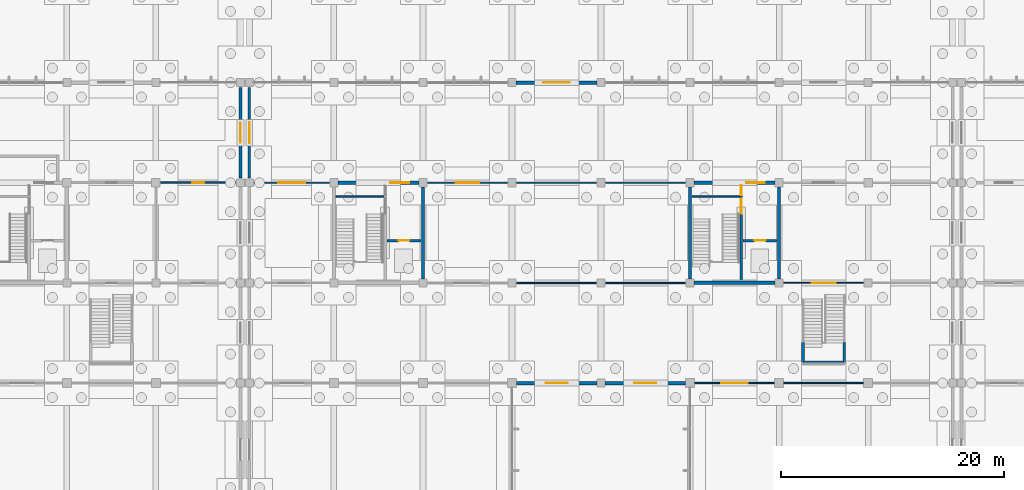
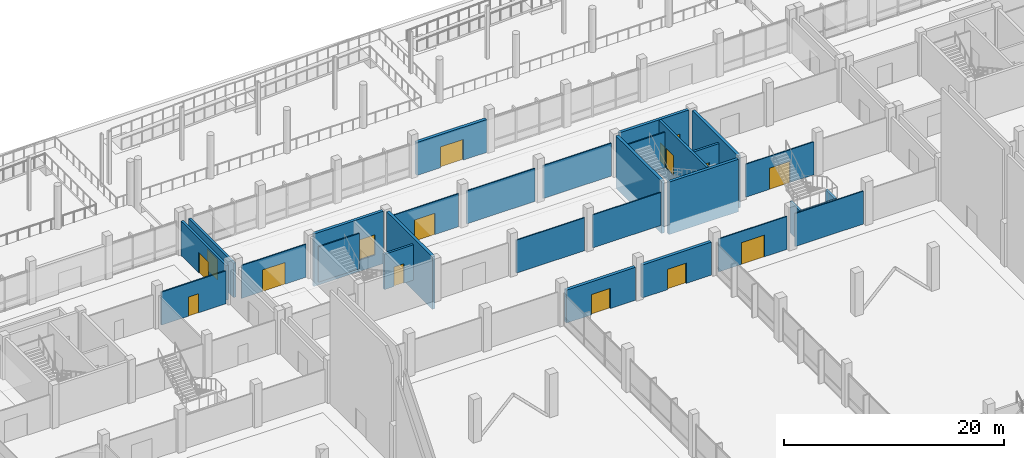
# One storey, part 50 of 72: 29 walls, 16 doors, 16 openings.
"""IFC4 building model written with IfcOpenShell, lengths in metres."""

from ifc_helpers import new_model, si_unit, direction, frame, frame_2d, origin, place, context, subcontext, project, spatial, rectangle, extrude, material, layer, layer_set, type_object, element, fill, save


model = new_model("IFC4")

# Units and contexts
model_context = context("Model", 3, precision=1e-05, world=origin(), true_north=direction((0.0, 1.0)))
body_context = subcontext(model_context, "Body", "Model", "MODEL_VIEW")
ifc_project = project(units=[si_unit("LENGTHUNIT", "METRE"), si_unit("AREAUNIT", "SQUARE_METRE"), si_unit("VOLUMEUNIT", "CUBIC_METRE"), si_unit("PLANEANGLEUNIT", "RADIAN"), si_unit("MASSUNIT", "GRAM", prefix="KILO"), si_unit("THERMODYNAMICTEMPERATUREUNIT", "KELVIN"), si_unit("POWERUNIT", "WATT")], contexts=[model_context])

# Site, building, storey
site_placement = place(None, origin())
site = spatial("IfcSite", under=ifc_project, at=site_placement, CompositionType="ELEMENT")
building_placement = place(site_placement, origin())
building = spatial("IfcBuilding", under=site, at=building_placement, Name="Kronsvod Quay Wholesale Market", CompositionType="ELEMENT")
storey_placement = place(building_placement, origin())
storey = spatial("IfcBuildingStorey", under=building, at=storey_placement, Name="L00", CompositionType="ELEMENT", Elevation=0.0)

# Wall, opening, door
ifc_material_1 = material(Name="Concrete C35/45", Category="concrete")
ifc_layer_1 = layer(ifc_material_1, 0.300048828125)
ifc_layer_set_1 = layer_set([ifc_layer_1], Name="Concrete C35/45")
wall_type_1 = type_object("IfcWallType", Name="Wall_CoreShear300", PredefinedType="SHEAR", material=ifc_layer_set_1)
wall_1_placement = place(storey_placement, frame((72.3701171875, 108.0, -1.25), z_axis=(0.0, 0.0, 1.0), x_axis=(1.0, 0.0, 0.0)))
wall_1 = element("IfcWall", 1, at=wall_1_placement, inside=storey, type_object=wall_type_1, Name="CW-C08-L00-N", PredefinedType="SHEAR", context=body_context, shape_type="SweptSolid", body=[
    extrude(rectangle(XDim=7.259765625, YDim=0.300048828125, at=frame_2d((3.6298828125, 0.0))), origin(), (0.0, 0.0, 1.0), 5.804931640625),
])
opening_1_placement = place(wall_1_placement, frame((4.699951171875, 0.0, 1.25)))
opening_1 = element("IfcOpeningElement", 2, at=opening_1_placement, cuts=wall_1, Name="Opening D-0076", PredefinedType="OPENING", context=body_context, shape_type="SweptSolid", body=[
    extrude(rectangle(XDim=1.699951171875, YDim=2.25, at=frame_2d((0.85009765625, 1.125))), frame((0.0, 0.16015625, 0.0), z_axis=(0.0, -1.0, 0.0), x_axis=(1.0, 0.0, 0.0)), (0.0, 0.0, 1.0), 0.320068359375),
])
ifc_material_2 = material(Name="Painted galvanized fire steel", Category="steel")
door_type_1 = type_object("IfcDoorType", Name="Door_FireLobby170x225", OperationType="DOUBLE_DOOR_SINGLE_SWING", PredefinedType="DOOR", material=ifc_material_2)
door_1_placement = place(opening_1_placement, origin())
door_1 = element("IfcDoor", 3, at=door_1_placement, inside=storey, type_object=door_type_1, Name="Core Lobby Door D-0076", OperationType="DOUBLE_DOOR_SINGLE_SWING", OverallHeight=2.25, OverallWidth=1.699951171875, PredefinedType="DOOR", context=body_context, shape_type="SweptSolid", body=[
    extrude(rectangle(XDim=1.699951171875, YDim=2.25, at=frame_2d((0.85009765625, 1.125))), frame((0.0, 0.02490234375, 0.0), z_axis=(0.0, -1.0, 0.0), x_axis=(1.0, 0.0, 0.0)), (0.0, 0.0, 1.0), 0.050048828125),
])
fill(opening_1, door_1)

# Walls
wall_2_placement = place(storey_placement, frame((80.0, 99.344970703125, -1.25), z_axis=(0.0, 0.0, 1.0), x_axis=(0.0, 1.0, 0.0)))
element("IfcWall", 4, at=wall_2_placement, inside=storey, type_object=wall_type_1, Name="CW-C08-L00-E", PredefinedType="SHEAR", context=body_context, shape_type="SweptSolid", body=[
    extrude(rectangle(XDim=8.284912109375, YDim=0.300048828125, at=frame_2d((4.142578125, 0.0))), origin(), (0.0, 0.0, 1.0), 5.804931640625),
])
wall_3_placement = place(storey_placement, frame((104.344970703125, 99.0, -1.25), z_axis=(0.0, 0.0, 1.0), x_axis=(1.0, 0.0, 0.0)))
element("IfcWall", 5, at=wall_3_placement, inside=storey, type_object=wall_type_1, Name="CW-C09-L00-S", PredefinedType="SHEAR", context=body_context, shape_type="SweptSolid", body=[
    extrude(rectangle(XDim=7.31005859375, YDim=0.300048828125, at=frame_2d((3.655029296875, 0.0))), origin(), (0.0, 0.0, 1.0), 5.804931640625),
])

# Wall, opening, door
wall_4_placement = place(storey_placement, frame((104.3701171875, 108.0, -1.25), z_axis=(0.0, 0.0, 1.0), x_axis=(1.0, 0.0, 0.0)))
wall_4 = element("IfcWall", 6, at=wall_4_placement, inside=storey, type_object=wall_type_1, Name="CW-C09-L00-N", PredefinedType="SHEAR", context=body_context, shape_type="SweptSolid", body=[
    extrude(rectangle(XDim=7.259765625, YDim=0.300048828125, at=frame_2d((3.6298828125, 0.0))), origin(), (0.0, 0.0, 1.0), 5.804931640625),
])
opening_2_placement = place(wall_4_placement, frame((4.699951171875, 0.0, 1.25)))
opening_2 = element("IfcOpeningElement", 7, at=opening_2_placement, cuts=wall_4, Name="Opening D-0092", PredefinedType="OPENING", context=body_context, shape_type="SweptSolid", body=[
    extrude(rectangle(XDim=1.64990234375, YDim=2.219970703125, at=frame_2d((0.824951171875, 1.10986328125))), frame((0.0, 0.16015625, 0.0), z_axis=(0.0, -1.0, 0.0), x_axis=(1.0, 0.0, 0.0)), (0.0, 0.0, 1.0), 0.320068359375),
])
ifc_material_3 = material(Name="Painted galvanized fire steel", Category="steel")
door_type_2 = type_object("IfcDoorType", Name="Door_FireLobby165x222", OperationType="DOUBLE_DOOR_SINGLE_SWING", PredefinedType="DOOR", material=ifc_material_3)
door_2_placement = place(opening_2_placement, origin())
door_2 = element("IfcDoor", 8, at=door_2_placement, inside=storey, type_object=door_type_2, Name="Core Lobby Door D-0092", OperationType="DOUBLE_DOOR_SINGLE_SWING", OverallHeight=2.219970703125, OverallWidth=1.64990234375, PredefinedType="DOOR", context=body_context, shape_type="SweptSolid", body=[
    extrude(rectangle(XDim=1.64990234375, YDim=2.219970703125, at=frame_2d((0.824951171875, 1.10986328125))), frame((0.0, 0.02490234375, 0.0), z_axis=(0.0, -1.0, 0.0), x_axis=(1.0, 0.0, 0.0)), (0.0, 0.0, 1.0), 0.050048828125),
])
fill(opening_2, door_2)

# Walls
for number, where, z_axis, x_axis, name in (
    (9, (104.0, 99.344970703125, -1.25), (0.0, 0.0, 1.0), (0.0, 1.0, 0.0), "CW-C09-L00-W"),
    (10, (112.0, 99.344970703125, -1.25), (0.0, 0.0, 1.0), (0.0, 1.0, 0.0), "CW-C09-L00-E"),
):
    element("IfcWall", number, at=place(storey_placement, frame(where, z_axis=z_axis, x_axis=x_axis)), inside=storey, type_object=wall_type_1, Name=name, PredefinedType="SHEAR", context=body_context, shape_type="SweptSolid", body=[
        extrude(rectangle(XDim=8.284912109375, YDim=0.300048828125, at=frame_2d((4.142578125, 0.0))), origin(), (0.0, 0.0, 1.0), 5.804931640625),
    ])

# Wall, opening, door
ifc_material_4 = material(Name="Precast concrete C40/50", Category="concrete")
ifc_layer_2 = layer(ifc_material_4, 0.320068359375)
ifc_layer_set_2 = layer_set([ifc_layer_2], Name="Precast concrete C40/50")
wall_type_2 = type_object("IfcWallType", Name="Wall_ExtPrecast320", PredefinedType="SOLIDWALL", material=ifc_layer_set_2)
wall_5_placement = place(storey_placement, frame((88.39501953125, 90.0, 0.0), z_axis=(0.0, 0.0, 1.0), x_axis=(1.0, 0.0, 0.0)))
wall_5 = element("IfcWall", 11, at=wall_5_placement, inside=storey, type_object=wall_type_2, Name="EW-X-L00-0043", PredefinedType="SOLIDWALL", context=body_context, shape_type="SweptSolid", body=[
    extrude(rectangle(XDim=7.260009765625, YDim=0.320068359375, at=frame_2d((3.6298828125, 0.0))), origin(), (0.0, 0.0, 1.0), 3.64990234375),
])
opening_3_placement = place(wall_5_placement, frame((2.6298828125, 0.0, 0.0)))
opening_3 = element("IfcOpeningElement", 12, at=opening_3_placement, cuts=wall_5, Name="Opening ED-028", PredefinedType="OPENING", context=body_context, shape_type="SweptSolid", body=[
    extrude(rectangle(XDim=2.0, YDim=2.25, at=frame_2d((1.0, 1.125))), frame((0.0, 0.169921875, 0.0), z_axis=(0.0, -1.0, 0.0), x_axis=(1.0, 0.0, 0.0)), (0.0, 0.0, 1.0), 0.340087890625),
])
ifc_material_5 = material(Name="Aluminium and safety glass", Category="aluminium")
door_type_3 = type_object("IfcDoorType", Name="Door_ExitDouble200x225", OperationType="DOUBLE_DOOR_SINGLE_SWING", PredefinedType="DOOR", material=ifc_material_5)
door_3_placement = place(opening_3_placement, frame((2.0, 0.0, 0.0), z_axis=(0.0, 0.0, 1.0), x_axis=(-1.0, 0.0, 0.0)))
door_3 = element("IfcDoor", 13, at=door_3_placement, inside=storey, type_object=door_type_3, Name="Court Exit Door ED-028", OperationType="DOUBLE_DOOR_SINGLE_SWING", OverallHeight=2.25, OverallWidth=2.0, PredefinedType="DOOR", context=body_context, shape_type="SweptSolid", body=[
    extrude(rectangle(XDim=2.0, YDim=2.25, at=frame_2d((1.0, 1.125))), frame((0.0, 0.02490234375, 0.0), z_axis=(0.0, -1.0, 0.0), x_axis=(1.0, 0.0, 0.0)), (0.0, 0.0, 1.0), 0.050048828125),
])
fill(opening_3, door_3)

wall_6_placement = place(storey_placement, frame((96.344970703125, 90.0, 0.0), z_axis=(0.0, 0.0, 1.0), x_axis=(1.0, 0.0, 0.0)))
wall_6 = element("IfcWall", 14, at=wall_6_placement, inside=storey, type_object=wall_type_2, Name="EW-X-L00-0044", PredefinedType="SOLIDWALL", context=body_context, shape_type="SweptSolid", body=[
    extrude(rectangle(XDim=7.260009765625, YDim=0.320068359375, at=frame_2d((3.6298828125, 0.0))), origin(), (0.0, 0.0, 1.0), 3.64990234375),
])
opening_4_placement = place(wall_6_placement, frame((2.6298828125, 0.0, 0.0)))
opening_4 = element("IfcOpeningElement", 15, at=opening_4_placement, cuts=wall_6, Name="Opening ED-029", PredefinedType="OPENING", context=body_context, shape_type="SweptSolid", body=[
    extrude(rectangle(XDim=2.0, YDim=2.25, at=frame_2d((1.0, 1.125))), frame((0.0, 0.169921875, 0.0), z_axis=(0.0, -1.0, 0.0), x_axis=(1.0, 0.0, 0.0)), (0.0, 0.0, 1.0), 0.340087890625),
])
door_4_placement = place(opening_4_placement, frame((2.0, 0.0, 0.0), z_axis=(0.0, 0.0, 1.0), x_axis=(-1.0, 0.0, 0.0)))
door_4 = element("IfcDoor", 16, at=door_4_placement, inside=storey, type_object=door_type_3, Name="Court Exit Door ED-029", OperationType="DOUBLE_DOOR_SINGLE_SWING", OverallHeight=2.25, OverallWidth=2.0, PredefinedType="DOOR", context=body_context, shape_type="SweptSolid", body=[
    extrude(rectangle(XDim=2.0, YDim=2.25, at=frame_2d((1.0, 1.125))), frame((0.0, 0.02490234375, 0.0), z_axis=(0.0, -1.0, 0.0), x_axis=(1.0, 0.0, 0.0)), (0.0, 0.0, 1.0), 0.050048828125),
])
fill(opening_4, door_4)

wall_7_placement = place(storey_placement, frame((95.655029296875, 117.0, 0.0), z_axis=(0.0, 0.0, 1.0), x_axis=(-1.0, 0.0, 0.0)))
wall_7 = element("IfcWall", 17, at=wall_7_placement, inside=storey, type_object=wall_type_2, Name="EW-X-L00-0045", PredefinedType="SOLIDWALL", context=body_context, shape_type="SweptSolid", body=[
    extrude(rectangle(XDim=7.31005859375, YDim=0.320068359375, at=frame_2d((3.655029296875, 0.0))), origin(), (0.0, 0.0, 1.0), 3.64990234375),
])
opening_5_placement = place(wall_7_placement, frame((2.455078125, 0.0, 0.0)))
opening_5 = element("IfcOpeningElement", 18, at=opening_5_placement, cuts=wall_7, Name="Opening ED-030", PredefinedType="OPENING", context=body_context, shape_type="SweptSolid", body=[
    extrude(rectangle(XDim=2.39990234375, YDim=2.300048828125, at=frame_2d((1.199951171875, 1.14990234375))), frame((0.0, 0.169921875, 0.0), z_axis=(0.0, -1.0, 0.0), x_axis=(1.0, 0.0, 0.0)), (0.0, 0.0, 1.0), 0.340087890625),
])
ifc_material_6 = material(Name="Aluminium and safety glass", Category="aluminium")
door_type_4 = type_object("IfcDoorType", Name="Door_ExitDouble240x230", OperationType="DOUBLE_DOOR_SINGLE_SWING", PredefinedType="DOOR", material=ifc_material_6)
door_5_placement = place(opening_5_placement, frame((2.39990234375, 0.0, 0.0), z_axis=(0.0, 0.0, 1.0), x_axis=(-1.0, 0.0, 0.0)))
door_5 = element("IfcDoor", 19, at=door_5_placement, inside=storey, type_object=door_type_4, Name="Harbour Colonnade Exit Door ED-030", OperationType="DOUBLE_DOOR_SINGLE_SWING", OverallHeight=2.300048828125, OverallWidth=2.39990234375, PredefinedType="DOOR", context=body_context, shape_type="SweptSolid", body=[
    extrude(rectangle(XDim=2.39990234375, YDim=2.300048828125, at=frame_2d((1.199951171875, 1.14990234375))), frame((0.0, 0.02490234375, 0.0), z_axis=(0.0, -1.0, 0.0), x_axis=(1.0, 0.0, 0.0)), (0.0, 0.0, 1.0), 0.050048828125),
])
fill(opening_5, door_5)

ifc_material_7 = material(Name="Precast concrete C40/50", Category="concrete")
ifc_layer_3 = layer(ifc_material_7, 0.239990234375)
ifc_layer_set_3 = layer_set([ifc_layer_3], Name="Precast concrete C40/50")
wall_type_3 = type_object("IfcWallType", Name="Wall_ExtSpandrel240", PredefinedType="SOLIDWALL", material=ifc_layer_set_3)
wall_8_placement = place(storey_placement, frame((63.60009765625, 108.419921875, 0.0), z_axis=(0.0, 0.0, 1.0), x_axis=(0.0, 1.0, 0.0)))
wall_8 = element("IfcWall", 20, at=wall_8_placement, inside=storey, type_object=wall_type_3, Name="MJWG-L00-636-1080", PredefinedType="SOLIDWALL", context=body_context, shape_type="SweptSolid", body=[
    extrude(rectangle(XDim=8.16015625, YDim=0.239990234375, at=frame_2d((4.080078125, 0.0))), origin(), (0.0, 0.0, 1.0), 3.820068359375),
])
opening_6_placement = place(wall_8_placement, frame((3.179931640625, 0.0, 0.0)))
opening_6 = element("IfcOpeningElement", 21, at=opening_6_placement, cuts=wall_8, Name="Opening D-0322", PredefinedType="OPENING", context=body_context, shape_type="SweptSolid", body=[
    extrude(rectangle(XDim=1.800048828125, YDim=2.300048828125, at=frame_2d((0.89990234375, 1.14990234375))), frame((0.0, 0.1298828125, 0.0), z_axis=(0.0, -1.0, 0.0), x_axis=(1.0, 0.0, 0.0)), (0.0, 0.0, 1.0), 0.260009765625),
])
ifc_material_8 = material(Name="Painted galvanized fire steel", Category="steel")
door_type_5 = type_object("IfcDoorType", Name="Door_FireComp180x230", OperationType="DOUBLE_DOOR_SINGLE_SWING", PredefinedType="DOOR", material=ifc_material_8)
door_6_placement = place(opening_6_placement, origin())
door_6 = element("IfcDoor", 22, at=door_6_placement, inside=storey, type_object=door_type_5, Name="Fire Compartment Door D-0322", OperationType="DOUBLE_DOOR_SINGLE_SWING", OverallHeight=2.300048828125, OverallWidth=1.800048828125, PredefinedType="DOOR", context=body_context, shape_type="SweptSolid", body=[
    extrude(rectangle(XDim=1.800048828125, YDim=2.300048828125, at=frame_2d((0.89990234375, 1.14990234375))), frame((0.0, 0.02490234375, 0.0), z_axis=(0.0, -1.0, 0.0), x_axis=(1.0, 0.0, 0.0)), (0.0, 0.0, 1.0), 0.050048828125),
])
fill(opening_6, door_6)

wall_9_placement = place(storey_placement, frame((64.39990234375, 108.419921875, 0.0), z_axis=(0.0, 0.0, 1.0), x_axis=(0.0, 1.0, 0.0)))
wall_9 = element("IfcWall", 23, at=wall_9_placement, inside=storey, type_object=wall_type_3, Name="MJWG-L00-644-1080", PredefinedType="SOLIDWALL", context=body_context, shape_type="SweptSolid", body=[
    extrude(rectangle(XDim=8.16015625, YDim=0.239990234375, at=frame_2d((4.080078125, 0.0))), origin(), (0.0, 0.0, 1.0), 3.820068359375),
])
opening_7_placement = place(wall_9_placement, frame((3.1298828125, 0.0, 0.0)))
opening_7 = element("IfcOpeningElement", 24, at=opening_7_placement, cuts=wall_9, Name="Opening D-0331", PredefinedType="OPENING", context=body_context, shape_type="SweptSolid", body=[
    extrude(rectangle(XDim=1.89990234375, YDim=2.35009765625, at=frame_2d((0.949951171875, 1.175048828125))), frame((0.0, 0.1298828125, 0.0), z_axis=(0.0, -1.0, 0.0), x_axis=(1.0, 0.0, 0.0)), (0.0, 0.0, 1.0), 0.260009765625),
])
ifc_material_9 = material(Name="Painted galvanized fire steel", Category="steel")
door_type_6 = type_object("IfcDoorType", Name="Door_FireComp190x235", OperationType="DOUBLE_DOOR_SINGLE_SWING", PredefinedType="DOOR", material=ifc_material_9)
door_7_placement = place(opening_7_placement, origin())
door_7 = element("IfcDoor", 25, at=door_7_placement, inside=storey, type_object=door_type_6, Name="Fire Compartment Door D-0331", OperationType="DOUBLE_DOOR_SINGLE_SWING", OverallHeight=2.35009765625, OverallWidth=1.89990234375, PredefinedType="DOOR", context=body_context, shape_type="SweptSolid", body=[
    extrude(rectangle(XDim=1.89990234375, YDim=2.35009765625, at=frame_2d((0.949951171875, 1.175048828125))), frame((0.0, 0.02490234375, 0.0), z_axis=(0.0, -1.0, 0.0), x_axis=(1.0, 0.0, 0.0)), (0.0, 0.0, 1.0), 0.050048828125),
])
fill(opening_7, door_7)

ifc_material_10 = material(Name="Double-glazed gallery screen partition", Category="glass")
ifc_layer_4 = layer(ifc_material_10, 0.10791015625)
ifc_layer_set_4 = layer_set([ifc_layer_4], Name="Double-glazed gallery screen partition")
wall_type_4 = type_object("IfcWallType", Name="Wall_PartGlazed108", PredefinedType="PARTITIONING", material=ifc_layer_set_4)
wall_10_placement = place(storey_placement, frame((112.419921875, 99.0, 0.0), z_axis=(0.0, 0.0, 1.0), x_axis=(1.0, 0.0, 0.0)))
wall_10 = element("IfcWall", 26, at=wall_10_placement, inside=storey, type_object=wall_type_4, Name="PW-L00-0134", PredefinedType="PARTITIONING", context=body_context, shape_type="SweptSolid", body=[
    extrude(rectangle(XDim=7.16015625, YDim=0.10791015625, at=frame_2d((3.580078125, 0.0))), origin(), (0.0, 0.0, 1.0), 3.64990234375),
])
opening_8_placement = place(wall_10_placement, frame((2.5048828125, 0.0, 0.0)))
opening_8 = element("IfcOpeningElement", 27, at=opening_8_placement, cuts=wall_10, Name="Opening D-0200", PredefinedType="OPENING", context=body_context, shape_type="SweptSolid", body=[
    extrude(rectangle(XDim=2.14990234375, YDim=2.35009765625, at=frame_2d((1.074951171875, 1.175048828125))), frame((0.0, 0.06396484375, 0.0), z_axis=(0.0, -1.0, 0.0), x_axis=(1.0, 0.0, 0.0)), (0.0, 0.0, 1.0), 0.1279296875),
])
ifc_material_11 = material(Name="Glazed aluminium hall portal", Category="aluminium")
door_type_7 = type_object("IfcDoorType", Name="Door_HallPortal215x235", OperationType="DOUBLE_DOOR_SINGLE_SWING", PredefinedType="DOOR", material=ifc_material_11)
door_8_placement = place(opening_8_placement, origin())
door_8 = element("IfcDoor", 28, at=door_8_placement, inside=storey, type_object=door_type_7, Name="Interior Door D-0200", OperationType="DOUBLE_DOOR_SINGLE_SWING", OverallHeight=2.35009765625, OverallWidth=2.14990234375, PredefinedType="DOOR", context=body_context, shape_type="SweptSolid", body=[
    extrude(rectangle(XDim=2.14990234375, YDim=2.35009765625, at=frame_2d((1.074951171875, 1.175048828125))), frame((0.0, 0.02490234375, 0.0), z_axis=(0.0, -1.0, 0.0), x_axis=(1.0, 0.0, 0.0)), (0.0, 0.0, 1.0), 0.050048828125),
])
fill(opening_8, door_8)

wall_11_placement = place(storey_placement, frame((80.419921875, 108.0, 0.0), z_axis=(0.0, 0.0, 1.0), x_axis=(1.0, 0.0, 0.0)))
wall_11 = element("IfcWall", 29, at=wall_11_placement, inside=storey, type_object=wall_type_4, Name="PW-L00-0143", PredefinedType="PARTITIONING", context=body_context, shape_type="SweptSolid", body=[
    extrude(rectangle(XDim=7.16015625, YDim=0.10791015625, at=frame_2d((3.580078125, 0.0))), origin(), (0.0, 0.0, 1.0), 3.64990234375),
])
opening_9_placement = place(wall_11_placement, frame((2.5048828125, 0.0, 0.0)))
opening_9 = element("IfcOpeningElement", 30, at=opening_9_placement, cuts=wall_11, Name="Opening D-0207", PredefinedType="OPENING", context=body_context, shape_type="SweptSolid", body=[
    extrude(rectangle(XDim=2.14990234375, YDim=2.35009765625, at=frame_2d((1.074951171875, 1.175048828125))), frame((0.0, 0.06396484375, 0.0), z_axis=(0.0, -1.0, 0.0), x_axis=(1.0, 0.0, 0.0)), (0.0, 0.0, 1.0), 0.1279296875),
])
door_9_placement = place(opening_9_placement, origin())
door_9 = element("IfcDoor", 31, at=door_9_placement, inside=storey, type_object=door_type_7, Name="Interior Door D-0207", OperationType="DOUBLE_DOOR_SINGLE_SWING", OverallHeight=2.35009765625, OverallWidth=2.14990234375, PredefinedType="DOOR", context=body_context, shape_type="SweptSolid", body=[
    extrude(rectangle(XDim=2.14990234375, YDim=2.35009765625, at=frame_2d((1.074951171875, 1.175048828125))), frame((0.0, 0.02490234375, 0.0), z_axis=(0.0, -1.0, 0.0), x_axis=(1.0, 0.0, 0.0)), (0.0, 0.0, 1.0), 0.050048828125),
])
fill(opening_9, door_9)

# Walls
for number, where, z_axis, x_axis, name in (
    (32, (88.419921875, 108.0, 0.0), (0.0, 0.0, 1.0), (1.0, 0.0, 0.0), "PW-L00-0144"),
    (33, (96.419921875, 108.0, 0.0), (0.0, 0.0, 1.0), (1.0, 0.0, 0.0), "PW-L00-0145"),
):
    element("IfcWall", number, at=place(storey_placement, frame(where, z_axis=z_axis, x_axis=x_axis)), inside=storey, type_object=wall_type_4, Name=name, PredefinedType="PARTITIONING", context=body_context, shape_type="SweptSolid", body=[
        extrude(rectangle(XDim=7.16015625, YDim=0.10791015625, at=frame_2d((3.580078125, 0.0))), origin(), (0.0, 0.0, 1.0), 3.64990234375),
    ])

# Wall, opening, door
ifc_material_12 = material(Name="Framed acoustic glass hall partition", Category="glass")
ifc_layer_5 = layer(ifc_material_12, 0.114990234375)
ifc_layer_set_5 = layer_set([ifc_layer_5], Name="Framed acoustic glass hall partition")
wall_type_5 = type_object("IfcWallType", Name="Wall_PartGlazed115", PredefinedType="PARTITIONING", material=ifc_layer_set_5)
wall_12_placement = place(storey_placement, frame((104.419921875, 90.0, 0.0), z_axis=(0.0, 0.0, 1.0), x_axis=(1.0, 0.0, 0.0)))
wall_12 = element("IfcWall", 34, at=wall_12_placement, inside=storey, type_object=wall_type_5, Name="PW-L00-0107", PredefinedType="PARTITIONING", context=body_context, shape_type="SweptSolid", body=[
    extrude(rectangle(XDim=7.16015625, YDim=0.114990234375, at=frame_2d((3.580078125, 0.0))), origin(), (0.0, 0.0, 1.0), 3.64990234375),
])
opening_10_placement = place(wall_12_placement, frame((2.3798828125, 0.0, 0.0)))
opening_10 = element("IfcOpeningElement", 35, at=opening_10_placement, cuts=wall_12, Name="Opening D-0183", PredefinedType="OPENING", context=body_context, shape_type="SweptSolid", body=[
    extrude(rectangle(XDim=2.39990234375, YDim=2.39990234375, at=frame_2d((1.199951171875, 1.199951171875))), frame((0.0, 0.0673828125, 0.0), z_axis=(0.0, -1.0, 0.0), x_axis=(1.0, 0.0, 0.0)), (0.0, 0.0, 1.0), 0.135009765625),
])
ifc_material_13 = material(Name="Glazed aluminium hall portal", Category="aluminium")
door_type_8 = type_object("IfcDoorType", Name="Door_HallPortal240x240", OperationType="DOUBLE_DOOR_SINGLE_SWING", PredefinedType="DOOR", material=ifc_material_13)
door_10_placement = place(opening_10_placement, origin())
door_10 = element("IfcDoor", 36, at=door_10_placement, inside=storey, type_object=door_type_8, Name="Interior Door D-0183", OperationType="DOUBLE_DOOR_SINGLE_SWING", OverallHeight=2.39990234375, OverallWidth=2.39990234375, PredefinedType="DOOR", context=body_context, shape_type="SweptSolid", body=[
    extrude(rectangle(XDim=2.39990234375, YDim=2.39990234375, at=frame_2d((1.199951171875, 1.199951171875))), frame((0.0, 0.02490234375, 0.0), z_axis=(0.0, -1.0, 0.0), x_axis=(1.0, 0.0, 0.0)), (0.0, 0.0, 1.0), 0.050048828125),
])
fill(opening_10, door_10)

# Walls
for number, where, z_axis, x_axis, name in (
    (37, (112.419921875, 90.0, 0.0), (0.0, 0.0, 1.0), (1.0, 0.0, 0.0), "PW-L00-0108"),
    (38, (88.419921875, 99.0, 0.0), (0.0, 0.0, 1.0), (1.0, 0.0, 0.0), "PW-L00-0132"),
    (39, (96.419921875, 99.0, 0.0), (0.0, 0.0, 1.0), (1.0, 0.0, 0.0), "PW-L00-0133"),
):
    element("IfcWall", number, at=place(storey_placement, frame(where, z_axis=z_axis, x_axis=x_axis)), inside=storey, type_object=wall_type_5, Name=name, PredefinedType="PARTITIONING", context=body_context, shape_type="SweptSolid", body=[
        extrude(rectangle(XDim=7.16015625, YDim=0.114990234375, at=frame_2d((3.580078125, 0.0))), origin(), (0.0, 0.0, 1.0), 3.64990234375),
    ])

# Wall, opening, door
wall_13_placement = place(storey_placement, frame((64.820068359375, 108.0, 0.0), z_axis=(0.0, 0.0, 1.0), x_axis=(1.0, 0.0, 0.0)))
wall_13 = element("IfcWall", 40, at=wall_13_placement, inside=storey, type_object=wall_type_5, Name="PW-L00-0142", PredefinedType="PARTITIONING", context=body_context, shape_type="SweptSolid", body=[
    extrude(rectangle(XDim=6.760009765625, YDim=0.114990234375, at=frame_2d((3.3798828125, 0.0))), origin(), (0.0, 0.0, 1.0), 3.64990234375),
])
opening_11_placement = place(wall_13_placement, frame((2.179931640625, 0.0, 0.0)))
opening_11 = element("IfcOpeningElement", 41, at=opening_11_placement, cuts=wall_13, Name="Opening D-0206", PredefinedType="OPENING", context=body_context, shape_type="SweptSolid", body=[
    extrude(rectangle(XDim=2.39990234375, YDim=2.39990234375, at=frame_2d((1.199951171875, 1.199951171875))), frame((0.0, 0.0673828125, 0.0), z_axis=(0.0, -1.0, 0.0), x_axis=(1.0, 0.0, 0.0)), (0.0, 0.0, 1.0), 0.135009765625),
])
door_11_placement = place(opening_11_placement, origin())
door_11 = element("IfcDoor", 42, at=door_11_placement, inside=storey, type_object=door_type_8, Name="Interior Door D-0206", OperationType="DOUBLE_DOOR_SINGLE_SWING", OverallHeight=2.39990234375, OverallWidth=2.39990234375, PredefinedType="DOOR", context=body_context, shape_type="SweptSolid", body=[
    extrude(rectangle(XDim=2.39990234375, YDim=2.39990234375, at=frame_2d((1.199951171875, 1.199951171875))), frame((0.0, 0.02490234375, 0.0), z_axis=(0.0, -1.0, 0.0), x_axis=(1.0, 0.0, 0.0)), (0.0, 0.0, 1.0), 0.050048828125),
])
fill(opening_11, door_11)

# Walls
ifc_material_14 = material(Name="Fire-rated shaft riser block wall", Category="masonry")
ifc_layer_6 = layer(ifc_material_14, 0.1298828125)
ifc_layer_set_6 = layer_set([ifc_layer_6], Name="Fire-rated shaft riser block wall")
wall_type_6 = type_object("IfcWallType", Name="Wall_PartRiser130", PredefinedType="PARTITIONING", material=ifc_layer_set_6)
for number, where, z_axis, x_axis, name in (
    (43, (72.179931640625, 106.75, 0.0), (0.0, 0.0, 1.0), (1.0, 0.0, 0.0), "CW-C08-L00-RSR"),
    (44, (104.179931640625, 106.75, 0.0), (0.0, 0.0, 1.0), (1.0, 0.0, 0.0), "CW-C09-L00-RSR"),
):
    element("IfcWall", number, at=place(storey_placement, frame(where, z_axis=z_axis, x_axis=x_axis)), inside=storey, type_object=wall_type_6, Name=name, PredefinedType="PARTITIONING", context=body_context, shape_type="SweptSolid", body=[
        extrude(rectangle(XDim=4.280029296875, YDim=0.1298828125, at=frame_2d((2.14013671875, 0.0))), origin(), (0.0, 0.0, 1.0), 3.905029296875),
    ])
wall_14_placement = place(storey_placement, frame((114.14990234375, 91.85009765625, -1.25), z_axis=(0.0, 0.0, 1.0), x_axis=(1.0, 0.0, 0.0)))
element("IfcWall", 45, at=wall_14_placement, inside=storey, type_object=wall_type_6, Name="ST-CON-E-SWS", PredefinedType="PARTITIONING", context=body_context, shape_type="SweptSolid", body=[
    extrude(rectangle(XDim=3.7001953125, YDim=0.239990234375, at=frame_2d((1.85009765625, 0.0))), origin(), (0.0, 0.0, 1.0), 3.469970703125),
])
for number, where, z_axis, x_axis, name in (
    (46, (114.14990234375, 91.949951171875, -1.25), (0.0, 0.0, 1.0), (0.0, 1.0, 0.0), "ST-CON-E-SWW"),
    (47, (117.85009765625, 91.949951171875, -1.25), (0.0, 0.0, 1.0), (0.0, 1.0, 0.0), "ST-CON-E-SWE"),
):
    element("IfcWall", number, at=place(storey_placement, frame(where, z_axis=z_axis, x_axis=x_axis)), inside=storey, type_object=wall_type_6, Name=name, PredefinedType="PARTITIONING", context=body_context, shape_type="SweptSolid", body=[
        extrude(rectangle(XDim=1.699951171875, YDim=0.239990234375, at=frame_2d((0.85009765625, 0.0))), origin(), (0.0, 0.0, 1.0), 3.469970703125),
    ])

# Wall, opening, door
ifc_material_15 = material(Name="Moisture-resistant sanitary block partition", Category="masonry")
ifc_layer_7 = layer(ifc_material_15, 0.135009765625)
ifc_layer_set_7 = layer_set([ifc_layer_7], Name="Moisture-resistant sanitary block partition")
wall_type_7 = type_object("IfcWallType", Name="Wall_PartWet135", PredefinedType="PLUMBINGWALL", material=ifc_layer_set_7)
wall_15_placement = place(storey_placement, frame((56.419921875, 108.0, 0.0), z_axis=(0.0, 0.0, 1.0), x_axis=(1.0, 0.0, 0.0)))
wall_15 = element("IfcWall", 48, at=wall_15_placement, inside=storey, type_object=wall_type_7, Name="PW-L00-0141", PredefinedType="PLUMBINGWALL", context=body_context, shape_type="SweptSolid", body=[
    extrude(rectangle(XDim=6.760009765625, YDim=0.135009765625, at=frame_2d((3.3798828125, 0.0))), origin(), (0.0, 0.0, 1.0), 3.64990234375),
])
opening_12_placement = place(wall_15_placement, frame((2.840087890625, 0.0, 0.0)))
opening_12 = element("IfcOpeningElement", 49, at=opening_12_placement, cuts=wall_15, Name="Opening D-0205", PredefinedType="OPENING", context=body_context, shape_type="SweptSolid", body=[
    extrude(rectangle(XDim=1.080078125, YDim=2.1201171875, at=frame_2d((0.5400390625, 1.06005859375))), frame((0.0, 0.07763671875, 0.0), z_axis=(0.0, -1.0, 0.0), x_axis=(1.0, 0.0, 0.0)), (0.0, 0.0, 1.0), 0.155029296875),
])
ifc_material_16 = material(Name="Accessible outward-swing laminate door", Category="wood")
door_type_9 = type_object("IfcDoorType", Name="Door_AccWC108x212", OperationType="NOTDEFINED", PredefinedType="DOOR", material=ifc_material_16)
door_12_placement = place(opening_12_placement, origin())
door_12 = element("IfcDoor", 50, at=door_12_placement, inside=storey, type_object=door_type_9, Name="Interior Door D-0205", OperationType="SINGLE_SWING_LEFT", OverallHeight=2.1201171875, OverallWidth=1.080078125, PredefinedType="DOOR", context=body_context, shape_type="SweptSolid", body=[
    extrude(rectangle(XDim=1.080078125, YDim=2.1201171875, at=frame_2d((0.5400390625, 1.06005859375))), frame((0.0, 0.02490234375, 0.0), z_axis=(0.0, -1.0, 0.0), x_axis=(1.0, 0.0, 0.0)), (0.0, 0.0, 1.0), 0.050048828125),
])
fill(opening_12, door_12)

ifc_material_17 = material(Name="Concrete C35/45", Category="concrete")
ifc_layer_8 = layer(ifc_material_17, 0.239990234375)
ifc_layer_set_8 = layer_set([ifc_layer_8], Name="Concrete C35/45")
wall_type_8 = type_object("IfcWallType", Name="Wall_ShaftWall240", PredefinedType="SHEAR", material=ifc_layer_set_8)
wall_16_placement = place(storey_placement, frame((76.75, 102.800048828125, 0.0), z_axis=(0.0, 0.0, 1.0), x_axis=(1.0, 0.0, 0.0)))
wall_16 = element("IfcWall", 51, at=wall_16_placement, inside=storey, type_object=wall_type_8, Name="CW-C08-L00-LSH", PredefinedType="SHEAR", context=body_context, shape_type="SweptSolid", body=[
    extrude(rectangle(XDim=3.070068359375, YDim=0.239990234375, at=frame_2d((1.53515625, 0.0))), origin(), (0.0, 0.0, 1.0), 3.905029296875),
])
opening_13_placement = place(wall_16_placement, frame((1.034912109375, 0.0, 0.0)))
opening_13 = element("IfcOpeningElement", 52, at=opening_13_placement, cuts=wall_16, Name="Opening D-0077", PredefinedType="OPENING", context=body_context, shape_type="SweptSolid", body=[
    extrude(rectangle(XDim=1.0, YDim=2.14990234375, at=frame_2d((0.5, 1.074951171875))), frame((0.0, 0.1298828125, 0.0), z_axis=(0.0, -1.0, 0.0), x_axis=(1.0, 0.0, 0.0)), (0.0, 0.0, 1.0), 0.260009765625),
])
ifc_material_18 = material(Name="Brushed stainless steel", Category="steel")
door_type_10 = type_object("IfcDoorType", Name="Door_LiftLandingPax", OperationType="SLIDING_TO_LEFT", PredefinedType="DOOR", material=ifc_material_18)
door_13_placement = place(opening_13_placement, origin())
door_13 = element("IfcDoor", 53, at=door_13_placement, inside=storey, type_object=door_type_10, Name="Lift Landing Door LFT-P03 L00", OperationType="SLIDING_TO_LEFT", OverallHeight=2.14990234375, OverallWidth=1.0, PredefinedType="DOOR", context=body_context, shape_type="SweptSolid", body=[
    extrude(rectangle(XDim=1.0, YDim=2.14990234375, at=frame_2d((0.5, 1.074951171875))), frame((0.0, 0.02490234375, 0.0), z_axis=(0.0, -1.0, 0.0), x_axis=(1.0, 0.0, 0.0)), (0.0, 0.0, 1.0), 0.050048828125),
])
fill(opening_13, door_13)

# Wall, openings, doors
wall_17_placement = place(storey_placement, frame((108.60009765625, 99.179931640625, -1.25), z_axis=(0.0, 0.0, 1.0), x_axis=(0.0, 1.0, 0.0)))
wall_17 = element("IfcWall", 54, at=wall_17_placement, inside=storey, type_object=wall_type_8, Name="CW-C09-L00-DIV", PredefinedType="SHEAR", context=body_context, shape_type="SweptSolid", body=[
    extrude(rectangle(XDim=8.64013671875, YDim=0.239990234375, at=frame_2d((4.320068359375, 0.0))), origin(), (0.0, 0.0, 1.0), 5.804931640625),
])
opening_14_placement = place(wall_17_placement, frame((6.02001953125, 0.0, 1.25)))
opening_14 = element("IfcOpeningElement", 55, at=opening_14_placement, cuts=wall_17, Name="Opening D-0090", PredefinedType="OPENING", context=body_context, shape_type="SweptSolid", body=[
    extrude(rectangle(XDim=1.3798828125, YDim=2.219970703125, at=frame_2d((0.68994140625, 1.10986328125))), frame((0.0, 0.1298828125, 0.0), z_axis=(0.0, -1.0, 0.0), x_axis=(1.0, 0.0, 0.0)), (0.0, 0.0, 1.0), 0.260009765625),
])
opening_15_placement = place(wall_17_placement, frame((7.679931640625, 0.0, 1.25)))
opening_15 = element("IfcOpeningElement", 56, at=opening_15_placement, cuts=wall_17, Name="Opening D-0091", PredefinedType="OPENING", context=body_context, shape_type="SweptSolid", body=[
    extrude(rectangle(XDim=0.89990234375, YDim=2.050048828125, at=frame_2d((0.449951171875, 1.02490234375))), frame((0.0, 0.1298828125, 0.0), z_axis=(0.0, -1.0, 0.0), x_axis=(1.0, 0.0, 0.0)), (0.0, 0.0, 1.0), 0.260009765625),
])
ifc_material_19 = material(Name="Painted galvanized fire steel", Category="steel")
door_type_11 = type_object("IfcDoorType", Name="Door_FireStair138x222", OperationType="NOTDEFINED", PredefinedType="DOOR", material=ifc_material_19)
door_14_placement = place(opening_14_placement, origin())
door_14 = element("IfcDoor", 57, at=door_14_placement, inside=storey, type_object=door_type_11, Name="Stair Fire Door D-0090", OperationType="SINGLE_SWING_LEFT", OverallHeight=2.219970703125, OverallWidth=1.3798828125, PredefinedType="DOOR", context=body_context, shape_type="SweptSolid", body=[
    extrude(rectangle(XDim=1.3798828125, YDim=2.219970703125, at=frame_2d((0.68994140625, 1.10986328125))), frame((0.0, 0.02490234375, 0.0), z_axis=(0.0, -1.0, 0.0), x_axis=(1.0, 0.0, 0.0)), (0.0, 0.0, 1.0), 0.050048828125),
])
fill(opening_14, door_14)
ifc_material_20 = material(Name="Fire-rated steel riser access door", Category="steel")
door_type_12 = type_object("IfcDoorType", Name="Door_Riser90x205", OperationType="NOTDEFINED", PredefinedType="DOOR", material=ifc_material_20)
door_15_placement = place(opening_15_placement, origin())
door_15 = element("IfcDoor", 58, at=door_15_placement, inside=storey, type_object=door_type_12, Name="Service Riser Door D-0091", OperationType="SINGLE_SWING_RIGHT", OverallHeight=2.050048828125, OverallWidth=0.89990234375, PredefinedType="DOOR", context=body_context, shape_type="SweptSolid", body=[
    extrude(rectangle(XDim=0.89990234375, YDim=2.050048828125, at=frame_2d((0.449951171875, 1.02490234375))), frame((0.0, 0.02490234375, 0.0), z_axis=(0.0, -1.0, 0.0), x_axis=(1.0, 0.0, 0.0)), (0.0, 0.0, 1.0), 0.050048828125),
])
fill(opening_15, door_15)

# Wall, opening, door
wall_18_placement = place(storey_placement, frame((108.75, 102.800048828125, 0.0), z_axis=(0.0, 0.0, 1.0), x_axis=(1.0, 0.0, 0.0)))
wall_18 = element("IfcWall", 59, at=wall_18_placement, inside=storey, type_object=wall_type_8, Name="CW-C09-L00-LSH", PredefinedType="SHEAR", context=body_context, shape_type="SweptSolid", body=[
    extrude(rectangle(XDim=3.070068359375, YDim=0.239990234375, at=frame_2d((1.53515625, 0.0))), origin(), (0.0, 0.0, 1.0), 3.905029296875),
])
opening_16_placement = place(wall_18_placement, frame((1.034912109375, 0.0, 0.0)))
opening_16 = element("IfcOpeningElement", 60, at=opening_16_placement, cuts=wall_18, Name="Opening D-0093", PredefinedType="OPENING", context=body_context, shape_type="SweptSolid", body=[
    extrude(rectangle(XDim=1.0, YDim=2.14990234375, at=frame_2d((0.5, 1.074951171875))), frame((0.0, 0.1298828125, 0.0), z_axis=(0.0, -1.0, 0.0), x_axis=(1.0, 0.0, 0.0)), (0.0, 0.0, 1.0), 0.260009765625),
])
door_16_placement = place(opening_16_placement, origin())
door_16 = element("IfcDoor", 61, at=door_16_placement, inside=storey, type_object=door_type_10, Name="Lift Landing Door LFT-P04 L00", OperationType="SLIDING_TO_LEFT", OverallHeight=2.14990234375, OverallWidth=1.0, PredefinedType="DOOR", context=body_context, shape_type="SweptSolid", body=[
    extrude(rectangle(XDim=1.0, YDim=2.14990234375, at=frame_2d((0.5, 1.074951171875))), frame((0.0, 0.02490234375, 0.0), z_axis=(0.0, -1.0, 0.0), x_axis=(1.0, 0.0, 0.0)), (0.0, 0.0, 1.0), 0.050048828125),
])
fill(opening_16, door_16)

save(model, "model.ifc")
